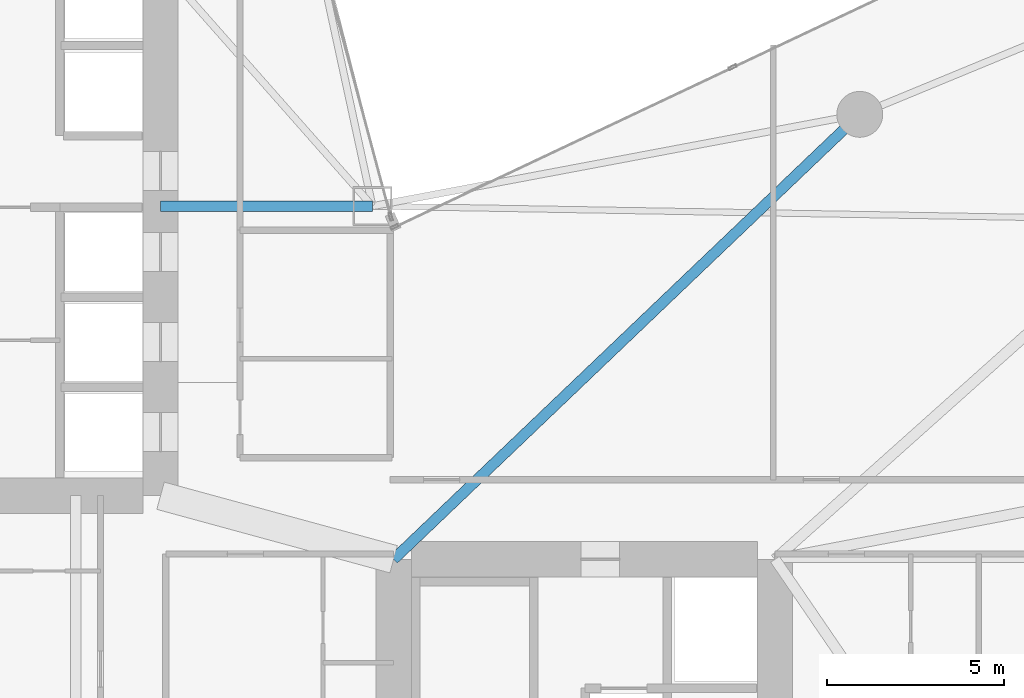
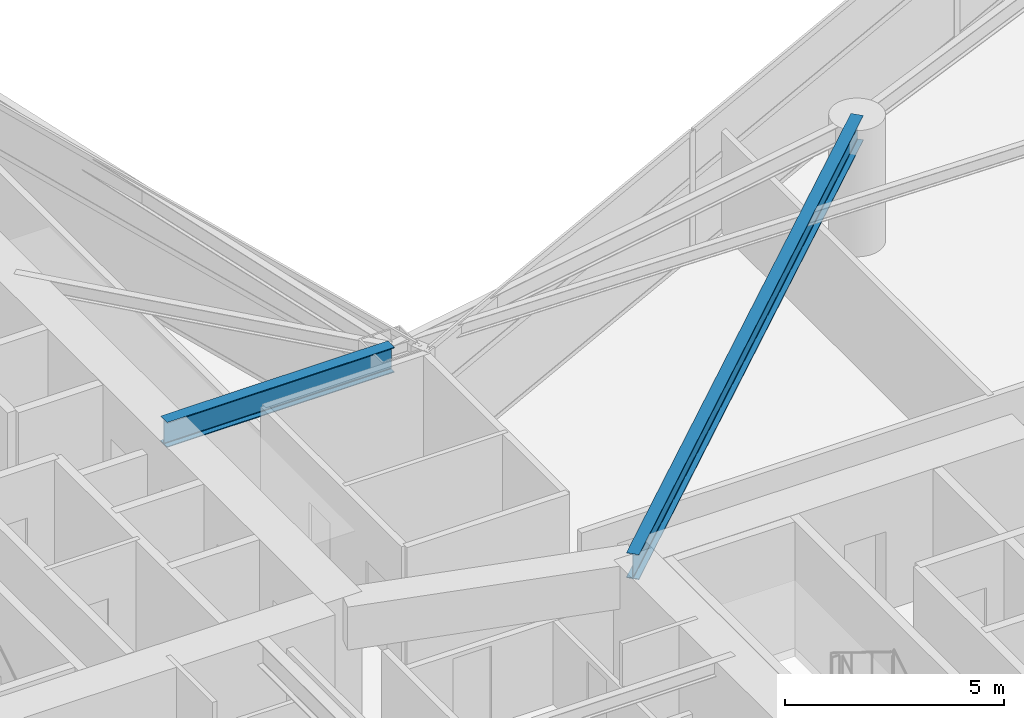
# One storey, part 8 of 28: 2 beams.
"""IFC4 building model written with IfcOpenShell, lengths in metres."""

from ifc_helpers import new_model, si_unit, direction, frame, origin, origin_2d, place, context, subcontext, project, spatial, i_section, extrude, material, material_profile, profile_set, type_object, element, save


model = new_model("IFC4")

# Units and contexts
model_context = context("Model", 3, precision=1e-05, world=origin(), true_north=direction((0.0, 1.0)))
body_context = subcontext(model_context, "Body", "Model", "MODEL_VIEW")
ifc_project = project(units=[si_unit("LENGTHUNIT", "METRE"), si_unit("AREAUNIT", "SQUARE_METRE"), si_unit("VOLUMEUNIT", "CUBIC_METRE"), si_unit("PLANEANGLEUNIT", "RADIAN"), si_unit("MASSUNIT", "GRAM", prefix="KILO")], contexts=[model_context])

# Site, building, storey
site_placement = place(None, origin())
site = spatial("IfcSite", under=ifc_project, at=site_placement, CompositionType="ELEMENT")
building_placement = place(site_placement, origin())
building = spatial("IfcBuilding", under=site, at=building_placement, Name="Calvorn Quay Hotel", CompositionType="ELEMENT")
storey_placement = place(building_placement, frame((0.0, 0.0, 88.800048828125)))
storey = spatial("IfcBuildingStorey", under=building, at=storey_placement, Name="L21", CompositionType="ELEMENT", Elevation=88.800048828125)

# Beams
ifc_material = material(Name="Steel Q390GJC", Category="steel")
ifc_material_profile = material_profile(ifc_material, i_section(OverallWidth=0.300048828125, OverallDepth=0.699951171875, WebThickness=0.012939453125, FlangeThickness=0.02392578125, FilletRadius=0.02392578125, at=origin_2d()), Name="HN700x300x13x24")
ifc_profile_set = profile_set([ifc_material_profile], Name="Steel Q390GJC")
beam_type = type_object("IfcBeamType", Name="BM-GIRD-MAIN", PredefinedType="BEAM", material=ifc_profile_set)
beam_1_placement = place(storey_placement, frame((21.0, 25.0, 3.169921875), z_axis=(-1.0, 0.0, 0.0), x_axis=(0.0, -1.0, 0.0)))
element("IfcBeam", 1, at=beam_1_placement, inside=storey, type_object=beam_type, Name="Beam BG-L21-W7", PredefinedType="BEAM", context=body_context, shape_type="SweptSolid", body=[
    extrude(i_section(OverallWidth=0.300048828125, OverallDepth=0.699951171875, WebThickness=0.012939453125, FlangeThickness=0.02392578125, FilletRadius=0.02392578125, at=origin_2d()), origin(), (0.0, 0.0, 1.0), 6.0),
])
beam_2_placement = place(storey_placement, frame((21.60009765625, 15.0, 3.169921875), z_axis=(0.723351595578, 0.690479883252, 0.0), x_axis=(-0.690479883252, 0.723351595578, 0.0)))
element("IfcBeam", 2, at=beam_2_placement, inside=storey, type_object=beam_type, Name="Beam BG-L21-E4", PredefinedType="BEAM", context=body_context, shape_type="SweptSolid", body=[
    extrude(i_section(OverallWidth=0.300048828125, OverallDepth=0.699951171875, WebThickness=0.012939453125, FlangeThickness=0.02392578125, FilletRadius=0.02392578125, at=origin_2d()), origin(), (0.0, 0.0, 1.0), 18.248291015625),
])

save(model, "model.ifc")
